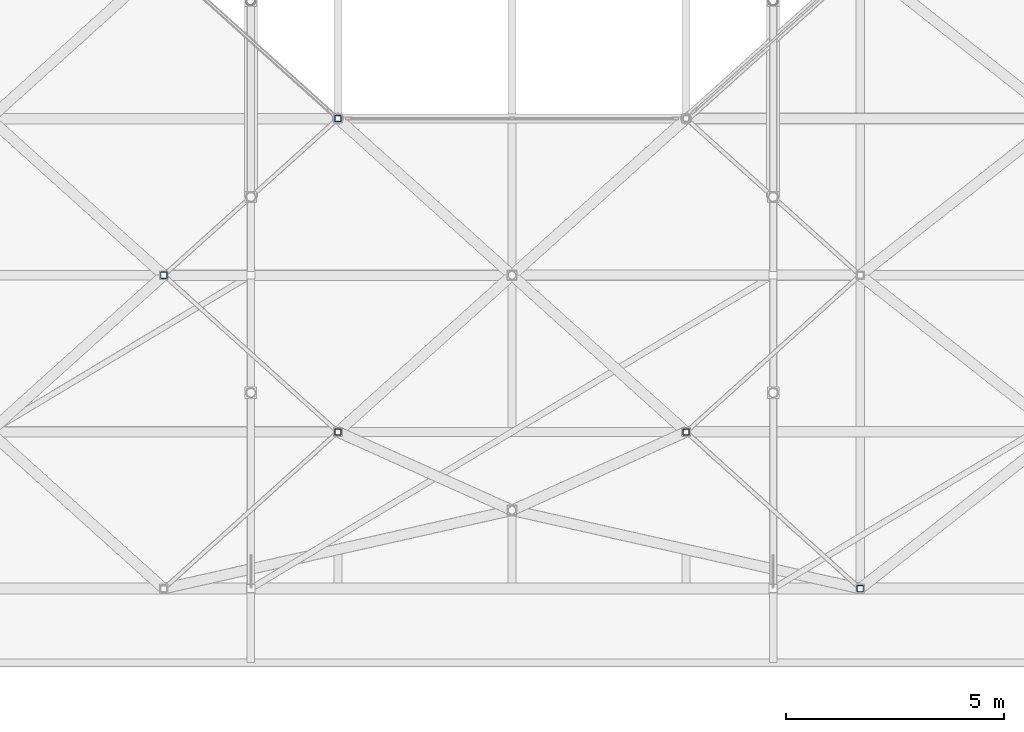
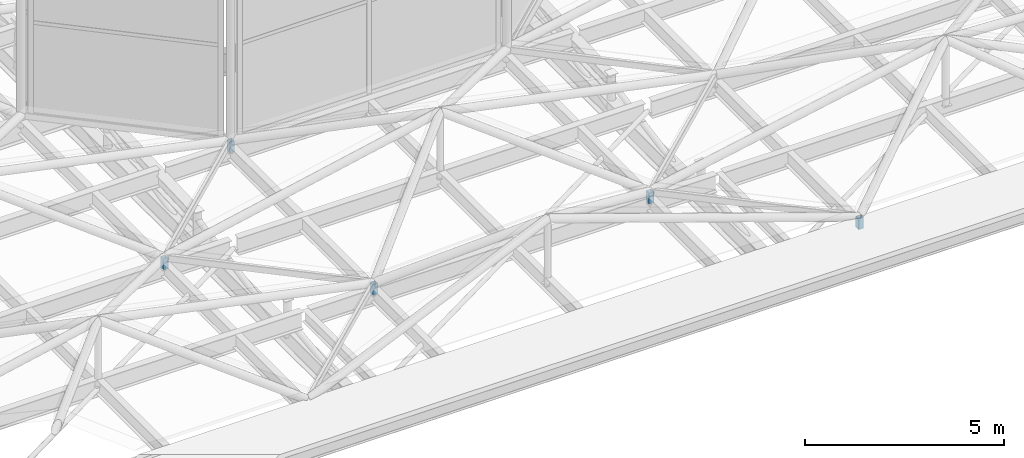
# One storey, part 194 of 239: 5 members.
"""IFC4 building model written with IfcOpenShell, lengths in metres."""

from ifc_helpers import new_model, si_unit, direction, frame, origin, origin_2d, place, context, subcontext, project, spatial, hollow_rectangle, extrude, material, material_profile, profile_set, type_object, element, save


model = new_model("IFC4")

# Units and contexts
model_context = context("Model", 3, precision=1e-05, world=origin(), true_north=direction((0.0, 1.0)))
body_context = subcontext(model_context, "Body", "Model", "MODEL_VIEW")
ifc_project = project(units=[si_unit("LENGTHUNIT", "METRE"), si_unit("AREAUNIT", "SQUARE_METRE"), si_unit("VOLUMEUNIT", "CUBIC_METRE"), si_unit("PLANEANGLEUNIT", "RADIAN"), si_unit("MASSUNIT", "GRAM", prefix="KILO")], contexts=[model_context])

# Site, building, storey
site_placement = place(None, origin())
site = spatial("IfcSite", under=ifc_project, at=site_placement, CompositionType="ELEMENT")
building_placement = place(site_placement, origin())
building = spatial("IfcBuilding", under=site, at=building_placement, Name="Dunvalen Ferry Terminal", CompositionType="ELEMENT")
storey_placement = place(building_placement, frame((0.0, 0.0, 9.840087890625)))
storey = spatial("IfcBuildingStorey", under=building, at=storey_placement, Name="L02", CompositionType="ELEMENT", Elevation=9.840087890625)

# Members
ifc_material = material(Name="Steel S355", Category="steel")
ifc_material_profile = material_profile(ifc_material, hollow_rectangle(XDim=0.14990234375, YDim=0.14990234375, WallThickness=0.008056640625, InnerFilletRadius=0.008056640625, OuterFilletRadius=0.01611328125, at=origin_2d()), Name="Steel S355")
ifc_profile_set = profile_set([ifc_material_profile], Name="Steel S355")
member_type = type_object("IfcMemberType", Name="STR-MB-SHS150", PredefinedType="BRACE", material=ifc_profile_set)
for number, where, z_axis, x_axis, name in (
    (1, (74.0, 54.0, 0.77001953125), (0.0, 0.0, 1.0), (1.0, 0.0, 0.0), "HEX-29 Rim Pedestal Strut 4"),
    (2, (70.0, 57.60009765625, 0.77001953125), (0.0, 0.0, 1.0), (1.0, 0.0, 0.0), "HEX-29 Rim Pedestal Strut 5"),
    (3, (74.0, 61.199951171875, 0.77001953125), (0.0, 0.0, 1.0), (1.0, 0.0, 0.0), "HEX-30 Rim Pedestal Strut 4"),
    (4, (86.0, 50.39990234375, 0.77001953125), (0.0, 0.0, 1.0), (1.0, 0.0, 0.0), "HEX-34 Rim Pedestal Strut 2"),
    (5, (82.0, 54.0, 0.77001953125), (0.0, 0.0, 1.0), (1.0, 0.0, 0.0), "HEX-34 Rim Pedestal Strut 3"),
):
    element("IfcMember", number, at=place(storey_placement, frame(where, z_axis=z_axis, x_axis=x_axis)), inside=storey, type_object=member_type, Name=name, PredefinedType="BRACE", context=body_context, shape_type="SweptSolid", body=[
        extrude(hollow_rectangle(XDim=0.14990234375, YDim=0.14990234375, WallThickness=0.008056640625, InnerFilletRadius=0.008056640625, OuterFilletRadius=0.01611328125, at=origin_2d()), origin(), (0.0, 0.0, 1.0), 0.329833984375),
    ])

save(model, "model.ifc")
